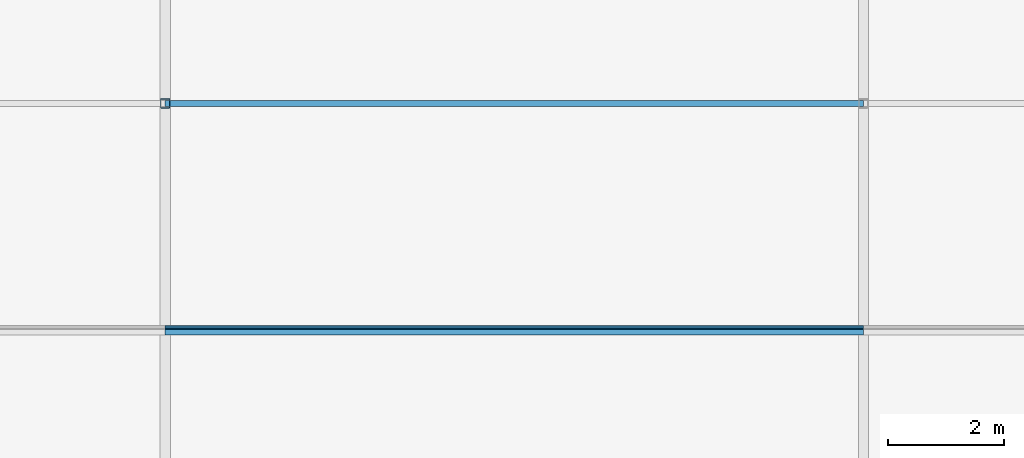
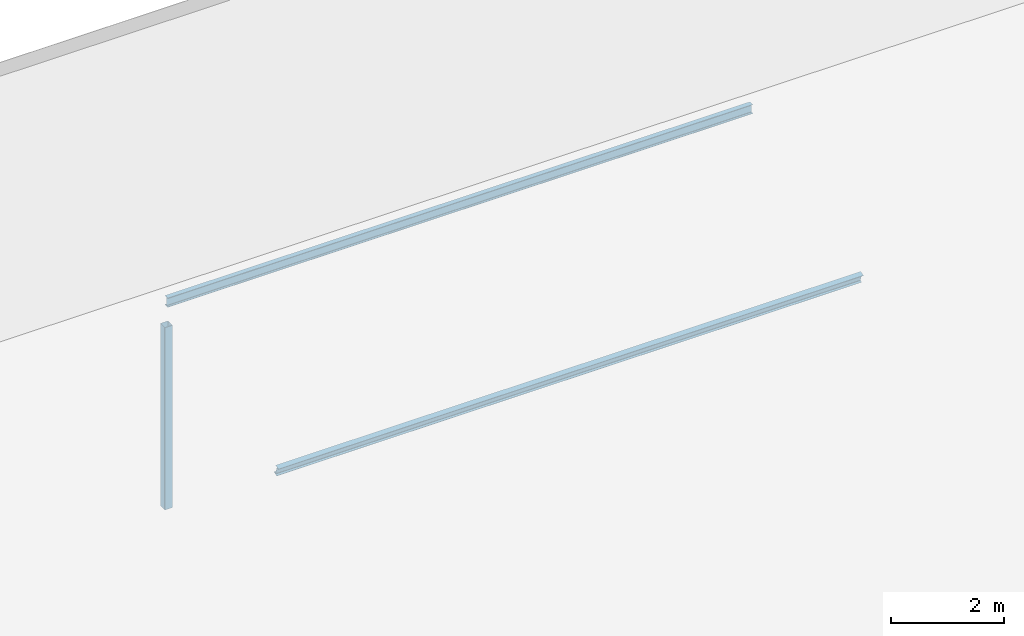
# One storey, part 6 of 12: 3 members.
"""IFC4 building model written with IfcOpenShell, lengths in metres."""

import ifcopenshell
import ifcopenshell.guid

model = None  # the IFC model being written
_history = None  # IfcOwnerHistory: only IFC2X3 demands one
_inside = {}  # id of a spatial element -> (the spatial element, [elements in it])
_under = {}  # id of a project, library or spatial element -> (it, [spatial elements below it])
_declared = {}  # id of a project -> (the project, [libraries it declares])
_typed = {}  # id of a type object -> (the type object, [elements of that type])
_made_of = {}  # id of a material, layer set ... -> (it, [elements and type objects made of it])


def new_model(schema):
    """Start an empty IFC model of exactly this schema.

    Asked for "IFC4X3", IfcOpenShell would pick the latest addendum, in which some entities
    have other attributes; the version numbers below select the first issue.
    IFC2X3 requires an IfcOwnerHistory on every rooted entity: one is made here for all.
    """
    global model, _history
    if schema == "IFC4X3":
        model = ifcopenshell.file(schema_version=(4, 3, 0, 0))
    else:
        model = ifcopenshell.file(schema=schema)
    _inside.clear()
    _under.clear()
    _declared.clear()
    _typed.clear()
    _made_of.clear()
    _history = None
    if model.schema == "IFC2X3":
        org = make("IfcOrganization", Name="unknown")
        user = make(
            "IfcPersonAndOrganization",
            ThePerson=make("IfcPerson", FamilyName="unknown"),
            TheOrganization=org,
        )
        app = make(
            "IfcApplication",
            ApplicationDeveloper=org,
            Version="unknown",
            ApplicationFullName="unknown",
            ApplicationIdentifier="unknown",
        )
        _history = make(
            "IfcOwnerHistory",
            OwningUser=user,
            OwningApplication=app,
            ChangeAction="ADDED",
            CreationDate=0,
        )
    return model


def make(cls, **values):
    """One entity of the class cls with the attributes given. An attribute that is None is left unset."""
    return model.create_entity(
        cls, **{name: value for name, value in values.items() if value is not None}
    )


def rooted(cls, **values):
    """An entity with a GlobalId (a new one), such as an element, a storey or a relation."""
    return make(cls, GlobalId=ifcopenshell.guid.new(), OwnerHistory=_history, **values)


def si_unit(unit_type, name, prefix=None):
    """IfcSIUnit, for example si_unit("LENGTHUNIT", "METRE", prefix="MILLI")."""
    return make("IfcSIUnit", UnitType=unit_type, Prefix=prefix, Name=name)


def assignment(units):
    """IfcUnitAssignment: the units of a project."""
    return None if units is None else make("IfcUnitAssignment", Units=units)


def point(xyz):
    """IfcCartesianPoint."""
    return None if xyz is None else make("IfcCartesianPoint", Coordinates=xyz)


def direction(xyz):
    """IfcDirection."""
    return None if xyz is None else make("IfcDirection", DirectionRatios=xyz)


def frame(location, z_axis=None, x_axis=None):
    """IfcAxis2Placement3D, a coordinate frame: its origin and axes. An axis left out is left unset."""
    return make(
        "IfcAxis2Placement3D",
        Location=point(location),
        Axis=direction(z_axis),
        RefDirection=direction(x_axis),
    )


def frame_2d(location, x_axis=None):
    """IfcAxis2Placement2D, a coordinate frame in the plane: its origin and x axis."""
    return make(
        "IfcAxis2Placement2D", Location=point(location), RefDirection=direction(x_axis)
    )


def origin():
    """The frame at (0, 0, 0) with its axes left unset."""
    return frame((0.0, 0.0, 0.0))


def origin_2d():
    """The frame at (0, 0) in the plane with its x axis left unset."""
    return frame_2d((0.0, 0.0))


def place(relative_to, where):
    """IfcLocalPlacement: puts the frame where relative to a parent placement (None: the world)."""
    return make(
        "IfcLocalPlacement", PlacementRelTo=relative_to, RelativePlacement=where
    )


def context(
    kind, dimensions, precision=None, world=None, true_north=None, identifier=None
):
    """IfcGeometricRepresentationContext, for example the 3D "Model" context."""
    return make(
        "IfcGeometricRepresentationContext",
        ContextIdentifier=identifier,
        ContextType=kind,
        CoordinateSpaceDimension=dimensions,
        Precision=precision,
        WorldCoordinateSystem=world,
        TrueNorth=true_north,
    )


def subcontext(parent, identifier, kind, view, scale=None):
    """IfcGeometricRepresentationSubContext, for example "Body" below "Model"."""
    return make(
        "IfcGeometricRepresentationSubContext",
        ContextIdentifier=identifier,
        ContextType=kind,
        ParentContext=parent,
        TargetScale=scale,
        TargetView=view,
    )


def project(units=None, contexts=None):
    """IfcProject with its units and contexts."""
    return rooted(
        "IfcProject",
        Name="project",
        RepresentationContexts=contexts,
        UnitsInContext=assignment(units),
    )


def spatial(cls, under=None, at=None, **own):
    """A site, building, storey or space (cls), placed at a placement, below another one or the project."""
    s = rooted(cls, ObjectPlacement=at, **own)
    if under is not None:
        _under.setdefault(under.id(), (under, []))[1].append(s)
    return s


def profile(cls, at=None, kind="AREA", **sizes):
    """A parametric profile (cls). Its sizes go by their IFC names, for example OverallWidth=200.0."""
    return make(cls, ProfileType=kind, Position=at, **sizes)


def hollow_rectangle(**sizes):
    """IfcRectangleHollowProfileDef."""
    return profile("IfcRectangleHollowProfileDef", **sizes)


def i_section(**sizes):
    """IfcIShapeProfileDef."""
    return profile("IfcIShapeProfileDef", **sizes)


def extrude(swept, where, along, depth):
    """IfcExtrudedAreaSolid: the profile swept, set in the frame where, extruded along a direction by depth."""
    return make(
        "IfcExtrudedAreaSolid",
        SweptArea=swept,
        Position=where,
        ExtrudedDirection=direction(along),
        Depth=depth,
    )


def shape(context_of_items, identifier, shape_type, items):
    """IfcShapeRepresentation: the items that make up one representation, for example the "Body"."""
    return make(
        "IfcShapeRepresentation",
        ContextOfItems=context_of_items,
        RepresentationIdentifier=identifier,
        RepresentationType=shape_type,
        Items=items,
    )


def material(Name=None, Category=None):
    """IfcMaterial."""
    return make("IfcMaterial", Name=Name, Category=Category)


def material_profile(
    of_material, cross_section, Name=None, Category=None, Priority=None
):
    """IfcMaterialProfile: a cross section and its material."""
    return make(
        "IfcMaterialProfile",
        Name=Name,
        Material=of_material,
        Profile=cross_section,
        Priority=Priority,
        Category=Category,
    )


def profile_set(profiles, Name=None, composite=None):
    """IfcMaterialProfileSet."""
    return make(
        "IfcMaterialProfileSet",
        Name=Name,
        MaterialProfiles=profiles,
        CompositeProfile=composite,
    )


def made_of(thing, what):
    """Note that an element or type object is made of a material, layer set ...; save() writes the relation."""
    if what is not None:
        _made_of.setdefault(what.id(), (what, []))[1].append(thing)
    return thing


def type_object(cls, material=None, **own):
    """A type object (cls), such as IfcWallType, which elements share."""
    return made_of(rooted(cls, **own), material)


def element(
    cls,
    number,
    at=None,
    inside=None,
    cuts=None,
    type_object=None,
    material=None,
    context=None,
    identifier="Body",
    shape_type=None,
    held_by="IfcProductDefinitionShape",
    body=None,
    shapes=None,
    **own,
):
    """One element of the class cls, such as IfcWall. Its Tag is "e" and its number.

    at: its placement. inside: the storey or other place that contains it. cuts: it is an
    opening in that element (IfcRelVoidsElement). A single representation is given by context,
    identifier, shape_type and body (its items); several are given by shapes. held_by: the class
    of the entity that holds the representations. save() writes the other relations.
    """
    e = rooted(cls, Tag="e%d" % number, ObjectPlacement=at, **own)
    if body is not None:
        shapes = [shape(context, identifier, shape_type, body)]
    if shapes is not None:
        e.Representation = make(held_by, Representations=shapes)
    if inside is not None:
        _inside.setdefault(inside.id(), (inside, []))[1].append(e)
    if cuts is not None:
        rooted(
            "IfcRelVoidsElement", RelatingBuildingElement=cuts, RelatedOpeningElement=e
        )
    if type_object is not None:
        _typed.setdefault(type_object.id(), (type_object, []))[1].append(e)
    return made_of(e, material)


def aggregate(whole, parts):
    """IfcRelAggregates: a whole, such as a stair, and the parts it consists of."""
    return rooted("IfcRelAggregates", RelatingObject=whole, RelatedObjects=parts)


def save(model, path):
    """Write the relations noted so far, then the file.

    IfcRelAggregates (storeys below a building ...), IfcRelContainedInSpatialStructure (elements
    in a storey), IfcRelDefinesByType, IfcRelAssociatesMaterial and IfcRelDeclares: one each for
    every whole, place, type object, material and project.
    """
    for whole, parts in _under.values():
        aggregate(whole, parts)
    for where, things in _inside.values():
        rooted(
            "IfcRelContainedInSpatialStructure",
            RelatedElements=things,
            RelatingStructure=where,
        )
    for kind, things in _typed.values():
        rooted("IfcRelDefinesByType", RelatedObjects=things, RelatingType=kind)
    for what, things in _made_of.values():
        rooted("IfcRelAssociatesMaterial", RelatedObjects=things, RelatingMaterial=what)
    for by, libraries in _declared.values():
        rooted("IfcRelDeclares", RelatingContext=by, RelatedDefinitions=libraries)
    model.write(path)


model = new_model("IFC4")

# Units and contexts
model_context = context("Model", 3, precision=1e-05, world=origin(), true_north=direction((0.0, 1.0)))
body_context = subcontext(model_context, "Body", "Model", "MODEL_VIEW")
ifc_project = project(units=[si_unit("LENGTHUNIT", "METRE"), si_unit("AREAUNIT", "SQUARE_METRE"), si_unit("VOLUMEUNIT", "CUBIC_METRE"), si_unit("PLANEANGLEUNIT", "RADIAN"), si_unit("MASSUNIT", "GRAM", prefix="KILO")], contexts=[model_context])

# Site, building, storey
site_placement = place(None, origin())
site = spatial("IfcSite", under=ifc_project, at=site_placement, CompositionType="ELEMENT")
building_placement = place(site_placement, origin())
building = spatial("IfcBuilding", under=site, at=building_placement, Name="Lilac Gate Convention Centre", CompositionType="ELEMENT")
storey_placement = place(building_placement, frame((0.0, 0.0, 71.39990234375)))
storey = spatial("IfcBuildingStorey", under=building, at=storey_placement, Name="Roof", CompositionType="ELEMENT", Elevation=71.39990234375)

# Members
ifc_material = material(Name="Steel Q355B", Category="steel")
ifc_material_profile_1 = material_profile(ifc_material, hollow_rectangle(XDim=0.159912109375, YDim=0.159912109375, WallThickness=0.006103515625, InnerFilletRadius=0.006103515625, OuterFilletRadius=0.011962890625, at=origin_2d()), Name="SHS160x160x6")
ifc_profile_set_1 = profile_set([ifc_material_profile_1], Name="Steel Q355B")
member_type_1 = type_object("IfcMemberType", Name="Crown king post SHS160x160x6", PredefinedType="STRUT", material=ifc_profile_set_1)
member_placement = place(storey_placement, frame((66.0, 234.0, 0.300048828125), z_axis=(0.0, 0.0, 1.0), x_axis=(1.0, 0.0, 0.0)))
element("IfcMember", 1, at=member_placement, inside=storey, type_object=member_type_1, Name="CK1 crown frame 3 king post", PredefinedType="STRUT", context=body_context, shape_type="SweptSolid", body=[
    extrude(hollow_rectangle(XDim=0.159912109375, YDim=0.159912109375, WallThickness=0.006103515625, InnerFilletRadius=0.006103515625, OuterFilletRadius=0.011962890625, at=origin_2d()), origin(), (0.0, 0.0, 1.0), 3.954345703125),
])
ifc_material_profile_2 = material_profile(ifc_material, i_section(OverallWidth=0.10009765625, OverallDepth=0.199951171875, WebThickness=0.005615234375, FlangeThickness=0.008056640625, FilletRadius=0.008056640625, at=origin_2d()), Name="HN200x100x5.5x8")
ifc_profile_set_2 = profile_set([ifc_material_profile_2], Name="Steel Q355B")
member_type_2 = type_object("IfcMemberType", Name="Crown purlin HN200x100x5.5x8", PredefinedType="PURLIN", material=ifc_profile_set_2)
for number, where, z_axis, x_axis, name in (
    (2, (66.0, 230.10009765625, 3.4453125), (1.0, 0.0, 0.0), (0.0, 0.947883747493, 0.318616385704), "CU1 crown purlin 2 bay 3"),
    (3, (66.0, 234.0, 4.75048828125), (1.0, 0.0, 0.0), (0.0, 1.0, 0.0), "CU1 crown purlin 3 bay 3"),
):
    element("IfcMember", number, at=place(storey_placement, frame(where, z_axis=z_axis, x_axis=x_axis)), inside=storey, type_object=member_type_2, Name=name, PredefinedType="PURLIN", context=body_context, shape_type="SweptSolid", body=[
        extrude(i_section(OverallWidth=0.10009765625, OverallDepth=0.199951171875, WebThickness=0.005615234375, FlangeThickness=0.008056640625, FilletRadius=0.008056640625, at=origin_2d()), origin(), (0.0, 0.0, 1.0), 12.0),
    ])

save(model, "model.ifc")
